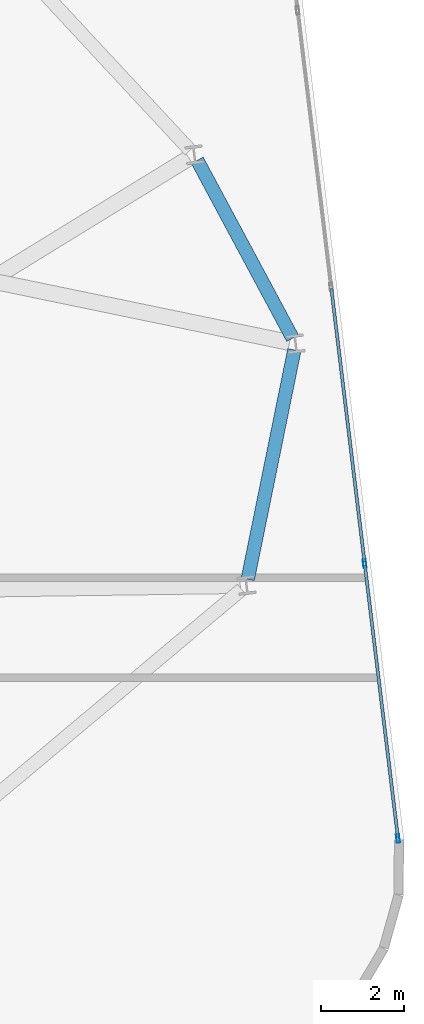
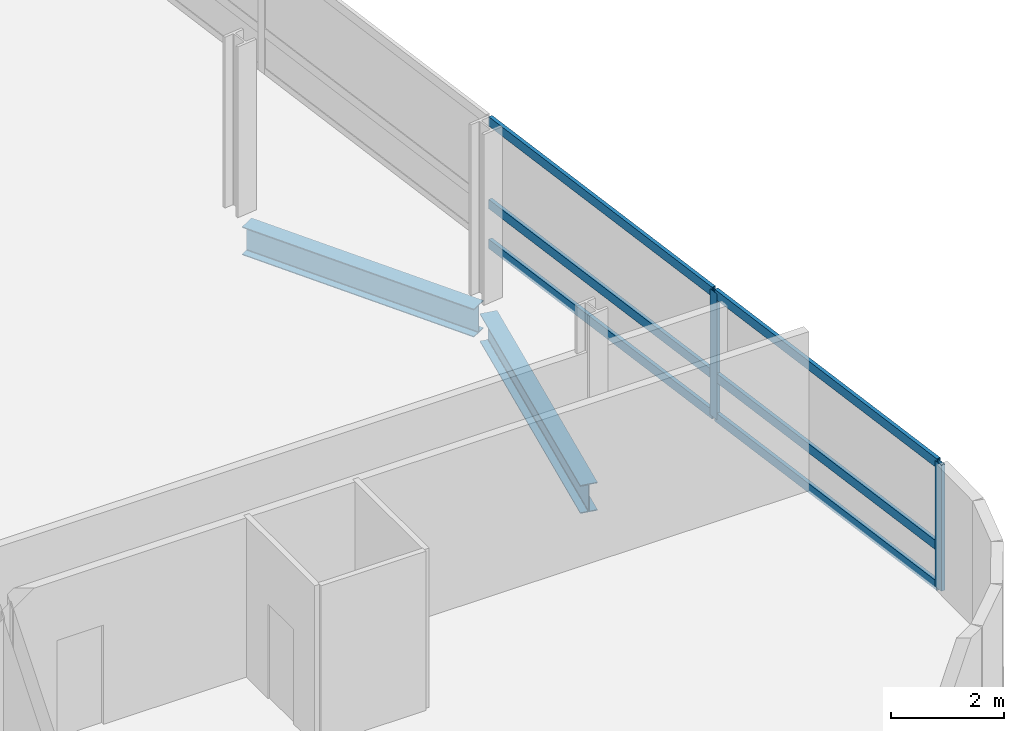
# One storey, part 10 of 23: 8 members, 2 beams, 1 element without a shape of its own.
"""IFC4 building model written with IfcOpenShell, lengths in metres."""

import ifcopenshell
import ifcopenshell.guid

model = None  # the IFC model being written
_history = None  # IfcOwnerHistory: only IFC2X3 demands one
_inside = {}  # id of a spatial element -> (the spatial element, [elements in it])
_under = {}  # id of a project, library or spatial element -> (it, [spatial elements below it])
_declared = {}  # id of a project -> (the project, [libraries it declares])
_typed = {}  # id of a type object -> (the type object, [elements of that type])
_made_of = {}  # id of a material, layer set ... -> (it, [elements and type objects made of it])


def new_model(schema):
    """Start an empty IFC model of exactly this schema.

    Asked for "IFC4X3", IfcOpenShell would pick the latest addendum, in which some entities
    have other attributes; the version numbers below select the first issue.
    IFC2X3 requires an IfcOwnerHistory on every rooted entity: one is made here for all.
    """
    global model, _history
    if schema == "IFC4X3":
        model = ifcopenshell.file(schema_version=(4, 3, 0, 0))
    else:
        model = ifcopenshell.file(schema=schema)
    _inside.clear()
    _under.clear()
    _declared.clear()
    _typed.clear()
    _made_of.clear()
    _history = None
    if model.schema == "IFC2X3":
        org = make("IfcOrganization", Name="unknown")
        user = make(
            "IfcPersonAndOrganization",
            ThePerson=make("IfcPerson", FamilyName="unknown"),
            TheOrganization=org,
        )
        app = make(
            "IfcApplication",
            ApplicationDeveloper=org,
            Version="unknown",
            ApplicationFullName="unknown",
            ApplicationIdentifier="unknown",
        )
        _history = make(
            "IfcOwnerHistory",
            OwningUser=user,
            OwningApplication=app,
            ChangeAction="ADDED",
            CreationDate=0,
        )
    return model


def make(cls, **values):
    """One entity of the class cls with the attributes given. An attribute that is None is left unset."""
    return model.create_entity(
        cls, **{name: value for name, value in values.items() if value is not None}
    )


def rooted(cls, **values):
    """An entity with a GlobalId (a new one), such as an element, a storey or a relation."""
    return make(cls, GlobalId=ifcopenshell.guid.new(), OwnerHistory=_history, **values)


def si_unit(unit_type, name, prefix=None):
    """IfcSIUnit, for example si_unit("LENGTHUNIT", "METRE", prefix="MILLI")."""
    return make("IfcSIUnit", UnitType=unit_type, Prefix=prefix, Name=name)


def assignment(units):
    """IfcUnitAssignment: the units of a project."""
    return None if units is None else make("IfcUnitAssignment", Units=units)


def point(xyz):
    """IfcCartesianPoint."""
    return None if xyz is None else make("IfcCartesianPoint", Coordinates=xyz)


def direction(xyz):
    """IfcDirection."""
    return None if xyz is None else make("IfcDirection", DirectionRatios=xyz)


def frame(location, z_axis=None, x_axis=None):
    """IfcAxis2Placement3D, a coordinate frame: its origin and axes. An axis left out is left unset."""
    return make(
        "IfcAxis2Placement3D",
        Location=point(location),
        Axis=direction(z_axis),
        RefDirection=direction(x_axis),
    )


def frame_2d(location, x_axis=None):
    """IfcAxis2Placement2D, a coordinate frame in the plane: its origin and x axis."""
    return make(
        "IfcAxis2Placement2D", Location=point(location), RefDirection=direction(x_axis)
    )


def origin():
    """The frame at (0, 0, 0) with its axes left unset."""
    return frame((0.0, 0.0, 0.0))


def origin_2d():
    """The frame at (0, 0) in the plane with its x axis left unset."""
    return frame_2d((0.0, 0.0))


def place(relative_to, where):
    """IfcLocalPlacement: puts the frame where relative to a parent placement (None: the world)."""
    return make(
        "IfcLocalPlacement", PlacementRelTo=relative_to, RelativePlacement=where
    )


def context(
    kind, dimensions, precision=None, world=None, true_north=None, identifier=None
):
    """IfcGeometricRepresentationContext, for example the 3D "Model" context."""
    return make(
        "IfcGeometricRepresentationContext",
        ContextIdentifier=identifier,
        ContextType=kind,
        CoordinateSpaceDimension=dimensions,
        Precision=precision,
        WorldCoordinateSystem=world,
        TrueNorth=true_north,
    )


def subcontext(parent, identifier, kind, view, scale=None):
    """IfcGeometricRepresentationSubContext, for example "Body" below "Model"."""
    return make(
        "IfcGeometricRepresentationSubContext",
        ContextIdentifier=identifier,
        ContextType=kind,
        ParentContext=parent,
        TargetScale=scale,
        TargetView=view,
    )


def project(units=None, contexts=None):
    """IfcProject with its units and contexts."""
    return rooted(
        "IfcProject",
        Name="project",
        RepresentationContexts=contexts,
        UnitsInContext=assignment(units),
    )


def spatial(cls, under=None, at=None, **own):
    """A site, building, storey or space (cls), placed at a placement, below another one or the project."""
    s = rooted(cls, ObjectPlacement=at, **own)
    if under is not None:
        _under.setdefault(under.id(), (under, []))[1].append(s)
    return s


def profile(cls, at=None, kind="AREA", **sizes):
    """A parametric profile (cls). Its sizes go by their IFC names, for example OverallWidth=200.0."""
    return make(cls, ProfileType=kind, Position=at, **sizes)


def hollow_rectangle(**sizes):
    """IfcRectangleHollowProfileDef."""
    return profile("IfcRectangleHollowProfileDef", **sizes)


def i_section(**sizes):
    """IfcIShapeProfileDef."""
    return profile("IfcIShapeProfileDef", **sizes)


def extrude(swept, where, along, depth):
    """IfcExtrudedAreaSolid: the profile swept, set in the frame where, extruded along a direction by depth."""
    return make(
        "IfcExtrudedAreaSolid",
        SweptArea=swept,
        Position=where,
        ExtrudedDirection=direction(along),
        Depth=depth,
    )


def shape(context_of_items, identifier, shape_type, items):
    """IfcShapeRepresentation: the items that make up one representation, for example the "Body"."""
    return make(
        "IfcShapeRepresentation",
        ContextOfItems=context_of_items,
        RepresentationIdentifier=identifier,
        RepresentationType=shape_type,
        Items=items,
    )


def material(Name=None, Category=None):
    """IfcMaterial."""
    return make("IfcMaterial", Name=Name, Category=Category)


def layer(
    of_material, thickness, ventilated=None, Name=None, Category=None, Priority=None
):
    """IfcMaterialLayer: one layer of a wall or slab, of a material (None: an air gap)."""
    return make(
        "IfcMaterialLayer",
        Material=of_material,
        LayerThickness=thickness,
        IsVentilated=ventilated,
        Name=Name,
        Category=Category,
        Priority=Priority,
    )


def layer_set(layers, Name=None):
    """IfcMaterialLayerSet."""
    return make("IfcMaterialLayerSet", MaterialLayers=layers, LayerSetName=Name)


def material_profile(
    of_material, cross_section, Name=None, Category=None, Priority=None
):
    """IfcMaterialProfile: a cross section and its material."""
    return make(
        "IfcMaterialProfile",
        Name=Name,
        Material=of_material,
        Profile=cross_section,
        Priority=Priority,
        Category=Category,
    )


def profile_set(profiles, Name=None, composite=None):
    """IfcMaterialProfileSet."""
    return make(
        "IfcMaterialProfileSet",
        Name=Name,
        MaterialProfiles=profiles,
        CompositeProfile=composite,
    )


def made_of(thing, what):
    """Note that an element or type object is made of a material, layer set ...; save() writes the relation."""
    if what is not None:
        _made_of.setdefault(what.id(), (what, []))[1].append(thing)
    return thing


def type_object(cls, material=None, **own):
    """A type object (cls), such as IfcWallType, which elements share."""
    return made_of(rooted(cls, **own), material)


def element(
    cls,
    number,
    at=None,
    inside=None,
    cuts=None,
    type_object=None,
    material=None,
    context=None,
    identifier="Body",
    shape_type=None,
    held_by="IfcProductDefinitionShape",
    body=None,
    shapes=None,
    **own,
):
    """One element of the class cls, such as IfcWall. Its Tag is "e" and its number.

    at: its placement. inside: the storey or other place that contains it. cuts: it is an
    opening in that element (IfcRelVoidsElement). A single representation is given by context,
    identifier, shape_type and body (its items); several are given by shapes. held_by: the class
    of the entity that holds the representations. save() writes the other relations.
    """
    e = rooted(cls, Tag="e%d" % number, ObjectPlacement=at, **own)
    if body is not None:
        shapes = [shape(context, identifier, shape_type, body)]
    if shapes is not None:
        e.Representation = make(held_by, Representations=shapes)
    if inside is not None:
        _inside.setdefault(inside.id(), (inside, []))[1].append(e)
    if cuts is not None:
        rooted(
            "IfcRelVoidsElement", RelatingBuildingElement=cuts, RelatedOpeningElement=e
        )
    if type_object is not None:
        _typed.setdefault(type_object.id(), (type_object, []))[1].append(e)
    return made_of(e, material)


def aggregate(whole, parts):
    """IfcRelAggregates: a whole, such as a stair, and the parts it consists of."""
    return rooted("IfcRelAggregates", RelatingObject=whole, RelatedObjects=parts)


def save(model, path):
    """Write the relations noted so far, then the file.

    IfcRelAggregates (storeys below a building ...), IfcRelContainedInSpatialStructure (elements
    in a storey), IfcRelDefinesByType, IfcRelAssociatesMaterial and IfcRelDeclares: one each for
    every whole, place, type object, material and project.
    """
    for whole, parts in _under.values():
        aggregate(whole, parts)
    for where, things in _inside.values():
        rooted(
            "IfcRelContainedInSpatialStructure",
            RelatedElements=things,
            RelatingStructure=where,
        )
    for kind, things in _typed.values():
        rooted("IfcRelDefinesByType", RelatedObjects=things, RelatingType=kind)
    for what, things in _made_of.values():
        rooted("IfcRelAssociatesMaterial", RelatedObjects=things, RelatingMaterial=what)
    for by, libraries in _declared.values():
        rooted("IfcRelDeclares", RelatingContext=by, RelatedDefinitions=libraries)
    model.write(path)


model = new_model("IFC4")

# Units and contexts
model_context = context("Model", 3, precision=1e-05, world=origin(), true_north=direction((0.0, 1.0)))
body_context = subcontext(model_context, "Body", "Model", "MODEL_VIEW")
ifc_project = project(units=[si_unit("LENGTHUNIT", "METRE"), si_unit("AREAUNIT", "SQUARE_METRE"), si_unit("VOLUMEUNIT", "CUBIC_METRE"), si_unit("PLANEANGLEUNIT", "RADIAN"), si_unit("MASSUNIT", "GRAM", prefix="KILO")], contexts=[model_context])

# Site, building, storey
site_placement = place(None, origin())
site = spatial("IfcSite", under=ifc_project, at=site_placement, CompositionType="ELEMENT")
building_placement = place(site_placement, origin())
building = spatial("IfcBuilding", under=site, at=building_placement, Name="Varnelok Gate Tower", CompositionType="ELEMENT")
storey_placement = place(building_placement, frame((0.0, 0.0, 170.89990234375)))
storey = spatial("IfcBuildingStorey", under=building, at=storey_placement, Name="L43", CompositionType="ELEMENT", Elevation=170.89990234375)

# Beams
ifc_material_1 = material(Name="Structural Steel ASTM A992 Grade 50", Category="steel")
ifc_material_profile_1 = material_profile(ifc_material_1, i_section(OverallWidth=0.323974609375, OverallDepth=0.611083984375, WebThickness=0.0126953125, FlangeThickness=0.01904296875, FilletRadius=0.01806640625, at=origin_2d()), Name="W24X104")
ifc_profile_set_1 = profile_set([ifc_material_profile_1], Name="Structural Steel ASTM A992 Grade 50")
beam_type = type_object("IfcBeamType", Name="BM-SPN-W24X104", PredefinedType="SPANDREL", material=ifc_profile_set_1)
beam_1_placement = place(storey_placement, frame((72.5068359375, 19.206298828125, -0.555419921875), z_axis=(0.19911018886, 0.979977108249, 0.0), x_axis=(-0.979977108249, 0.19911018886, 0.0)))
element("IfcBeam", 1, at=beam_1_placement, inside=storey, type_object=beam_type, Name="L43 Perimeter Spandrel Beam 6", PredefinedType="SPANDREL", context=body_context, shape_type="SweptSolid", body=[
    extrude(i_section(OverallWidth=0.323974609375, OverallDepth=0.611083984375, WebThickness=0.0126953125, FlangeThickness=0.01904296875, FilletRadius=0.01806640625, at=origin_2d()), origin(), (0.0, 0.0, 1.0), 5.612060546875),
])
beam_2_placement = place(storey_placement, frame((73.583251953125, 24.9853515625, -0.555419921875), z_axis=(-0.472471917257, 0.881345725242, 0.0), x_axis=(-0.881345725242, -0.472471917257, 0.0)))
element("IfcBeam", 2, at=beam_2_placement, inside=storey, type_object=beam_type, Name="L43 Perimeter Spandrel Beam 7", PredefinedType="SPANDREL", context=body_context, shape_type="SweptSolid", body=[
    extrude(i_section(OverallWidth=0.323974609375, OverallDepth=0.611083984375, WebThickness=0.0126953125, FlangeThickness=0.01904296875, FilletRadius=0.01806640625, at=origin_2d()), origin(), (0.0, 0.0, 1.0), 4.8408203125),
])

# Curtain wall, members
ifc_material_2 = material(Name="Anodized Aluminum Alloy 6063-T6", Category="aluminium")
ifc_layer = layer(ifc_material_2, 0.179931640625)
ifc_layer_set = layer_set([ifc_layer], Name="Anodized Aluminum Alloy 6063-T6")
curtain_wall_type = type_object("IfcCurtainWallType", Name="CW4-RESIDENCE-VISION", PredefinedType="USERDEFINED", material=ifc_layer_set)
curtain_wall_placement = place(storey_placement, origin())
curtain_wall = element("IfcCurtainWall", 3, at=curtain_wall_placement, inside=storey, type_object=curtain_wall_type, Name="L43 East End Vision Curtain Wall", ObjectType="UNITISED CURTAIN WALL", PredefinedType="USERDEFINED")
ifc_material_profile_2 = material_profile(ifc_material_2, hollow_rectangle(XDim=0.074951171875, YDim=0.199951171875, WallThickness=0.00390625, at=origin_2d()), Name="ALU200X75X4")
ifc_profile_set_2 = profile_set([ifc_material_profile_2], Name="Anodized Aluminum Alloy 6063-T6")
member_type_1 = type_object("IfcMemberType", Name="CW-MULL-200", PredefinedType="MULLION", material=ifc_profile_set_2)
member_1_placement = place(storey_placement, frame((75.310302734375, 19.584228515625, 0.0), z_axis=(0.0, 0.0, 1.0), x_axis=(0.992732188751, 0.120344511371, 0.0)))
member_1 = element("IfcMember", 4, at=member_1_placement, type_object=member_type_1, Name="CW4 mullion 5", PredefinedType="MULLION", context=body_context, shape_type="SweptSolid", body=[
    extrude(hollow_rectangle(XDim=0.074951171875, YDim=0.199951171875, WallThickness=0.00390625, at=origin_2d()), origin(), (0.0, 0.0, 1.0), 2.72998046875),
])
member_2_placement = place(storey_placement, frame((76.109619140625, 12.989990234375, 0.0), z_axis=(0.0, 0.0, 1.0), x_axis=(0.992732188751, 0.120344511371, 0.0)))
member_2 = element("IfcMember", 5, at=member_2_placement, type_object=member_type_1, Name="CW4 mullion 6", PredefinedType="MULLION", context=body_context, shape_type="SweptSolid", body=[
    extrude(hollow_rectangle(XDim=0.074951171875, YDim=0.199951171875, WallThickness=0.00390625, at=origin_2d()), origin(), (0.0, 0.0, 1.0), 2.72998046875),
])
ifc_material_profile_3 = material_profile(ifc_material_2, hollow_rectangle(XDim=0.074951171875, YDim=0.199951171875, WallThickness=0.00390625, at=origin_2d()), Name="ALU200X75X4")
ifc_profile_set_3 = profile_set([ifc_material_profile_3], Name="Anodized Aluminum Alloy 6063-T6")
member_type_2 = type_object("IfcMemberType", Name="CW-TRAN-200", PredefinedType="USERDEFINED", material=ifc_profile_set_3)
member_3_placement = place(storey_placement, frame((74.510986328125, 26.178466796875, 0.03759765625), z_axis=(0.120349029092, -0.992731641078, 0.0), x_axis=(0.992731641078, 0.120349029092, 0.0)))
member_3 = element("IfcMember", 6, at=member_3_placement, type_object=member_type_2, Name="CW4 transom 4.1", ObjectType="TRANSOM", PredefinedType="USERDEFINED", context=body_context, shape_type="SweptSolid", body=[
    extrude(hollow_rectangle(XDim=0.074951171875, YDim=0.199951171875, WallThickness=0.00390625, at=origin_2d()), origin(), (0.0, 0.0, 1.0), 6.605224609375),
])
member_4_placement = place(storey_placement, frame((74.510986328125, 26.178466796875, 0.900146484375), z_axis=(0.120349029092, -0.992731641078, 0.0), x_axis=(0.992731641078, 0.120349029092, 0.0)))
member_4 = element("IfcMember", 7, at=member_4_placement, type_object=member_type_2, Name="CW4 transom 4.2", ObjectType="TRANSOM", PredefinedType="USERDEFINED", context=body_context, shape_type="SweptSolid", body=[
    extrude(hollow_rectangle(XDim=0.074951171875, YDim=0.199951171875, WallThickness=0.00390625, at=origin_2d()), origin(), (0.0, 0.0, 1.0), 6.605224609375),
])
member_5_placement = place(storey_placement, frame((74.510986328125, 26.178466796875, 2.692626953125), z_axis=(0.120349029092, -0.992731641078, 0.0), x_axis=(0.992731641078, 0.120349029092, 0.0)))
member_5 = element("IfcMember", 8, at=member_5_placement, type_object=member_type_2, Name="CW4 transom 4.3", ObjectType="TRANSOM", PredefinedType="USERDEFINED", context=body_context, shape_type="SweptSolid", body=[
    extrude(hollow_rectangle(XDim=0.074951171875, YDim=0.199951171875, WallThickness=0.00390625, at=origin_2d()), origin(), (0.0, 0.0, 1.0), 6.605224609375),
])
member_6_placement = place(storey_placement, frame((75.314697265625, 19.546875, 0.03759765625), z_axis=(0.120369113246, -0.992729206066, 0.0), x_axis=(0.992729206066, 0.120369113246, 0.0)))
member_6 = element("IfcMember", 9, at=member_6_placement, type_object=member_type_2, Name="CW4 transom 5.1", ObjectType="TRANSOM", PredefinedType="USERDEFINED", context=body_context, shape_type="SweptSolid", body=[
    extrude(hollow_rectangle(XDim=0.074951171875, YDim=0.199951171875, WallThickness=0.00390625, at=origin_2d()), origin(), (0.0, 0.0, 1.0), 6.567626953125),
])
member_7_placement = place(storey_placement, frame((75.314697265625, 19.546875, 0.900146484375), z_axis=(0.120369113246, -0.992729206066, 0.0), x_axis=(0.992729206066, 0.120369113246, 0.0)))
member_7 = element("IfcMember", 10, at=member_7_placement, type_object=member_type_2, Name="CW4 transom 5.2", ObjectType="TRANSOM", PredefinedType="USERDEFINED", context=body_context, shape_type="SweptSolid", body=[
    extrude(hollow_rectangle(XDim=0.074951171875, YDim=0.199951171875, WallThickness=0.00390625, at=origin_2d()), origin(), (0.0, 0.0, 1.0), 6.567626953125),
])
member_8_placement = place(storey_placement, frame((75.314697265625, 19.546875, 2.692626953125), z_axis=(0.120369113246, -0.992729206066, 0.0), x_axis=(0.992729206066, 0.120369113246, 0.0)))
member_8 = element("IfcMember", 11, at=member_8_placement, type_object=member_type_2, Name="CW4 transom 5.3", ObjectType="TRANSOM", PredefinedType="USERDEFINED", context=body_context, shape_type="SweptSolid", body=[
    extrude(hollow_rectangle(XDim=0.074951171875, YDim=0.199951171875, WallThickness=0.00390625, at=origin_2d()), origin(), (0.0, 0.0, 1.0), 6.567626953125),
])
aggregate(curtain_wall, [member_1, member_2, member_3, member_4, member_5, member_6, member_7, member_8])

save(model, "model.ifc")
